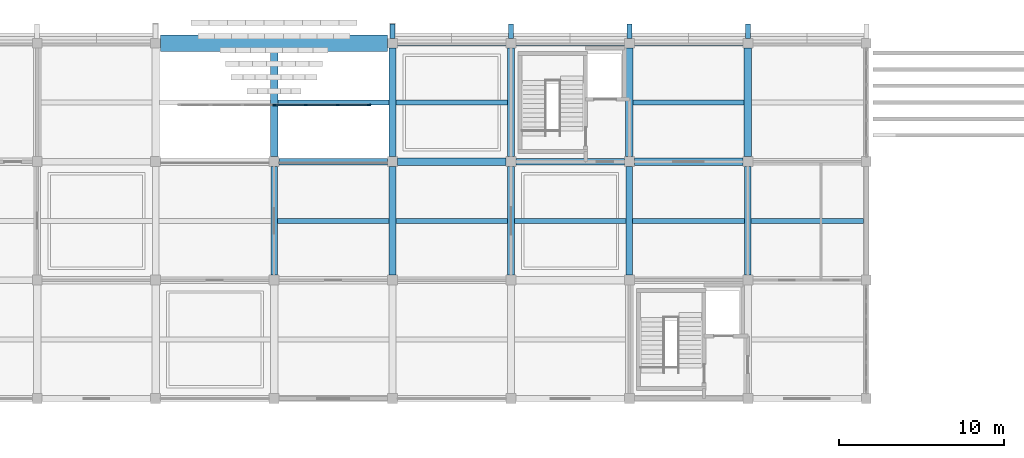
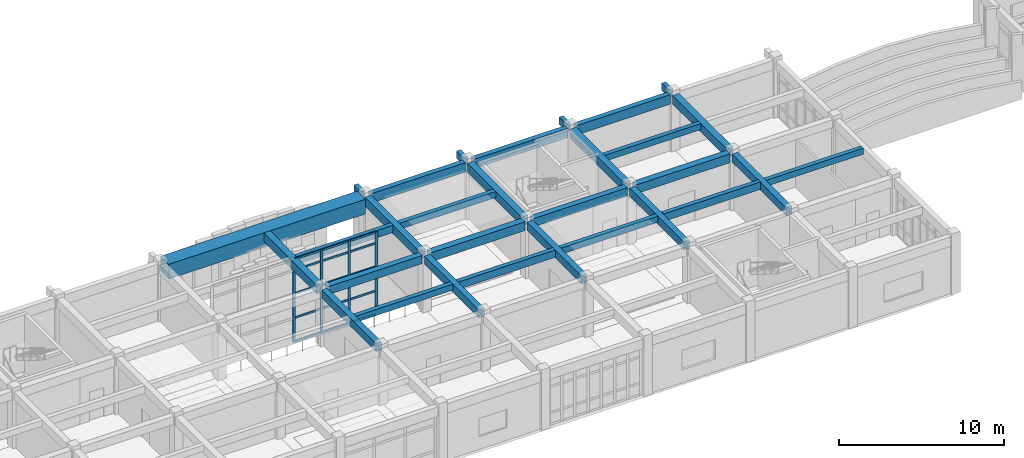
# One storey, part 25 of 81: 30 beams, 19 members, 1 element without a shape of its own.
"""IFC4 building model written with IfcOpenShell, lengths in metres."""

from ifc_helpers import new_model, si_unit, direction, frame, origin, origin_2d, place, context, subcontext, project, spatial, rectangle, extrude, material, layer, layer_set, material_profile, profile_set, type_object, element, aggregate, save


model = new_model("IFC4")

# Units and contexts
model_context = context("Model", 3, precision=1e-05, world=origin(), true_north=direction((0.0, 1.0)))
body_context = subcontext(model_context, "Body", "Model", "MODEL_VIEW")
ifc_project = project(units=[si_unit("LENGTHUNIT", "METRE"), si_unit("AREAUNIT", "SQUARE_METRE"), si_unit("VOLUMEUNIT", "CUBIC_METRE"), si_unit("PLANEANGLEUNIT", "RADIAN"), si_unit("MASSUNIT", "GRAM", prefix="KILO")], contexts=[model_context])

# Site, building, storey
site_placement = place(None, origin())
site = spatial("IfcSite", under=ifc_project, at=site_placement, CompositionType="ELEMENT")
building_placement = place(site_placement, origin())
building = spatial("IfcBuilding", under=site, at=building_placement, Name="Kavelor Marine Aquarium", CompositionType="ELEMENT")
storey_placement = place(building_placement, frame((0.0, 0.0, 4.679931640625)))
storey = spatial("IfcBuildingStorey", under=building, at=storey_placement, Name="L01", CompositionType="ELEMENT", Elevation=4.679931640625)

# Beams
ifc_material_1 = material(Name="Concrete C40/50", Category="concrete")
ifc_material_profile_1 = material_profile(ifc_material_1, rectangle(XDim=0.449951171875, YDim=0.64990234375, at=origin_2d()), Name="RC-BM 450x650")
ifc_profile_set_1 = profile_set([ifc_material_profile_1], Name="Concrete C40/50")
beam_type_1 = type_object("IfcBeamType", Name="BM-B3", PredefinedType="BEAM", material=ifc_profile_set_1)
for number, where, z_axis, x_axis, name in (
    (1, (75.5, 103.60009765625, 3.875), (1.0, 0.0, 0.0), (0.0, 1.0, 0.0), "bm:x:L01:L02:10_14"),
    (2, (89.89990234375, 103.60009765625, 3.875), (1.0, 0.0, 0.0), (0.0, 1.0, 0.0), "bm:x:L01:L02:12_14"),
):
    element("IfcBeam", number, at=place(storey_placement, frame(where, z_axis=z_axis, x_axis=x_axis)), inside=storey, type_object=beam_type_1, Name=name, PredefinedType="BEAM", context=body_context, shape_type="SweptSolid", body=[
        extrude(rectangle(XDim=0.449951171875, YDim=0.64990234375, at=origin_2d()), origin(), (0.0, 0.0, 1.0), 6.60009765625),
    ])
beam_1_placement = place(storey_placement, frame((68.0, 103.89990234375, 3.875), z_axis=(0.0, 1.0, 0.0), x_axis=(-1.0, 0.0, 0.0)))
element("IfcBeam", 3, at=beam_1_placement, inside=storey, type_object=beam_type_1, Name="bm:y:L01:L02:09_14", PredefinedType="BEAM", context=body_context, shape_type="SweptSolid", body=[
    extrude(rectangle(XDim=0.449951171875, YDim=0.64990234375, at=origin_2d()), origin(), (0.0, 0.0, 1.0), 6.400146484375),
])
for number, where, z_axis, x_axis, name in (
    (4, (75.199951171875, 103.89990234375, 3.875), (0.0, 1.0, 0.0), (-1.0, 0.0, 0.0), "bm:y:L01:L02:10_14"),
    (5, (82.39990234375, 103.89990234375, 3.875), (0.0, 1.0, 0.0), (-1.0, 0.0, 0.0), "bm:y:L01:L02:11_14"),
    (6, (89.60009765625, 103.89990234375, 3.875), (0.0, 1.0, 0.0), (-1.0, 0.0, 0.0), "bm:y:L01:L02:12_14"),
    (7, (96.800048828125, 103.89990234375, 3.875), (0.0, 1.0, 0.0), (-1.0, 0.0, 0.0), "bm:y:L01:L02:13_14"),
):
    element("IfcBeam", number, at=place(storey_placement, frame(where, z_axis=z_axis, x_axis=x_axis)), inside=storey, type_object=beam_type_1, Name=name, PredefinedType="BEAM", context=body_context, shape_type="SweptSolid", body=[
        extrude(rectangle(XDim=0.449951171875, YDim=0.64990234375, at=origin_2d()), origin(), (0.0, 0.0, 1.0), 6.60009765625),
    ])
ifc_material_2 = material(Name="Concrete C40/50", Category="concrete")
ifc_material_profile_2 = material_profile(ifc_material_2, rectangle(XDim=0.39990234375, YDim=0.60009765625, at=origin_2d()), Name="RC-BM 400x600")
ifc_profile_set_2 = profile_set([ifc_material_profile_2], Name="Concrete C40/50")
beam_type_2 = type_object("IfcBeamType", Name="BM-B4", PredefinedType="BEAM", material=ifc_profile_set_2)
beam_2_placement = place(storey_placement, frame((68.300048828125, 103.60009765625, 3.900146484375), z_axis=(1.0, 0.0, 0.0), x_axis=(0.0, 1.0, 0.0)))
element("IfcBeam", 8, at=beam_2_placement, inside=storey, type_object=beam_type_2, Name="bm:x:L01:L02:09_14", PredefinedType="BEAM", context=body_context, shape_type="SweptSolid", body=[
    extrude(rectangle(XDim=0.39990234375, YDim=0.60009765625, at=origin_2d()), origin(), (0.0, 0.0, 1.0), 6.599853515625),
])
for number, where, z_axis, x_axis, name in (
    (9, (82.699951171875, 103.60009765625, 3.900146484375), (1.0, 0.0, 0.0), (0.0, 1.0, 0.0), "bm:x:L01:L02:11_14"),
    (10, (68.0, 96.699951171875, 3.900146484375), (0.0, 1.0, 0.0), (-1.0, 0.0, 0.0), "bm:y:L01:L02:09_13"),
    (11, (75.199951171875, 96.699951171875, 3.900146484375), (0.0, 1.0, 0.0), (-1.0, 0.0, 0.0), "bm:y:L01:L02:10_13"),
    (12, (82.39990234375, 96.699951171875, 3.900146484375), (0.0, 1.0, 0.0), (-1.0, 0.0, 0.0), "bm:y:L01:L02:11_13"),
    (13, (89.60009765625, 96.699951171875, 3.900146484375), (0.0, 1.0, 0.0), (-1.0, 0.0, 0.0), "bm:y:L01:L02:12_13"),
    (14, (96.800048828125, 96.699951171875, 3.900146484375), (0.0, 1.0, 0.0), (-1.0, 0.0, 0.0), "bm:y:L01:L02:13_13"),
):
    element("IfcBeam", number, at=place(storey_placement, frame(where, z_axis=z_axis, x_axis=x_axis)), inside=storey, type_object=beam_type_2, Name=name, PredefinedType="BEAM", context=body_context, shape_type="SweptSolid", body=[
        extrude(rectangle(XDim=0.39990234375, YDim=0.60009765625, at=origin_2d()), origin(), (0.0, 0.0, 1.0), 6.60009765625),
    ])
ifc_material_3 = material(Name="Concrete C40/50", Category="concrete")
ifc_material_profile_3 = material_profile(ifc_material_3, rectangle(XDim=0.300048828125, YDim=0.449951171875, at=origin_2d()), Name="RC-JS 300x450")
ifc_profile_set_3 = profile_set([ifc_material_profile_3], Name="Concrete C40/50")
beam_type_3 = type_object("IfcBeamType", Name="BM-JS1", PredefinedType="JOIST", material=ifc_profile_set_3)
beam_3_placement = place(storey_placement, frame((68.199951171875, 100.0, 3.97509765625), z_axis=(1.0, 0.0, 0.0), x_axis=(0.0, 1.0, 0.0)))
element("IfcBeam", 15, at=beam_3_placement, inside=storey, type_object=beam_type_3, Name="js:L01:L02:09_13", PredefinedType="JOIST", context=body_context, shape_type="SweptSolid", body=[
    extrude(rectangle(XDim=0.300048828125, YDim=0.449951171875, at=origin_2d()), origin(), (0.0, 0.0, 1.0), 6.800048828125),
])
beam_4_placement = place(storey_placement, frame((75.425048828125, 107.199951171875, 3.97509765625), z_axis=(1.0, 0.0, 0.0), x_axis=(0.0, 1.0, 0.0)))
element("IfcBeam", 16, at=beam_4_placement, inside=storey, type_object=beam_type_3, Name="js:L01:L02:10_14", PredefinedType="JOIST", context=body_context, shape_type="SweptSolid", body=[
    extrude(rectangle(XDim=0.300048828125, YDim=0.449951171875, at=origin_2d()), origin(), (0.0, 0.0, 1.0), 6.75),
])
beam_5_placement = place(storey_placement, frame((82.60009765625, 100.0, 3.97509765625), z_axis=(1.0, 0.0, 0.0), x_axis=(0.0, 1.0, 0.0)))
element("IfcBeam", 17, at=beam_5_placement, inside=storey, type_object=beam_type_3, Name="js:L01:L02:11_13", PredefinedType="JOIST", context=body_context, shape_type="SweptSolid", body=[
    extrude(rectangle(XDim=0.300048828125, YDim=0.449951171875, at=origin_2d()), origin(), (0.0, 0.0, 1.0), 6.7998046875),
])
beam_6_placement = place(storey_placement, frame((89.824951171875, 107.199951171875, 3.97509765625), z_axis=(1.0, 0.0, 0.0), x_axis=(0.0, 1.0, 0.0)))
element("IfcBeam", 18, at=beam_6_placement, inside=storey, type_object=beam_type_3, Name="js:L01:L02:12_14", PredefinedType="JOIST", context=body_context, shape_type="SweptSolid", body=[
    extrude(rectangle(XDim=0.300048828125, YDim=0.449951171875, at=origin_2d()), origin(), (0.0, 0.0, 1.0), 6.75),
])
beam_7_placement = place(storey_placement, frame((97.0, 100.0, 3.97509765625), z_axis=(1.0, 0.0, 0.0), x_axis=(0.0, 1.0, 0.0)))
element("IfcBeam", 19, at=beam_7_placement, inside=storey, type_object=beam_type_3, Name="js:L01:L02:13_13", PredefinedType="JOIST", context=body_context, shape_type="SweptSolid", body=[
    extrude(rectangle(XDim=0.300048828125, YDim=0.449951171875, at=origin_2d()), origin(), (0.0, 0.0, 1.0), 6.824951171875),
])
ifc_material_4 = material(Name="Concrete C40/50", Category="concrete")
ifc_material_profile_4 = material_profile(ifc_material_4, rectangle(XDim=0.300048828125, YDim=0.550048828125, at=origin_2d()), Name="RC-JS 300x550")
ifc_profile_set_4 = profile_set([ifc_material_profile_4], Name="Concrete C40/50")
beam_type_4 = type_object("IfcBeamType", Name="BM-JS2", PredefinedType="JOIST", material=ifc_profile_set_4)
beam_8_placement = place(storey_placement, frame((68.22509765625, 107.199951171875, 3.945068359375), z_axis=(1.0, 0.0, 0.0), x_axis=(0.0, 1.0, 0.0)))
element("IfcBeam", 20, at=beam_8_placement, inside=storey, type_object=beam_type_4, Name="js:L01:L02:09_14", PredefinedType="JOIST", context=body_context, shape_type="SweptSolid", body=[
    extrude(rectangle(XDim=0.300048828125, YDim=0.550048828125, at=origin_2d()), origin(), (0.0, 0.0, 1.0), 6.75),
])
for number, where, z_axis, x_axis, name in (
    (21, (75.39990234375, 100.0, 3.945068359375), (1.0, 0.0, 0.0), (0.0, 1.0, 0.0), "js:L01:L02:10_13"),
    (22, (89.800048828125, 100.0, 3.945068359375), (1.0, 0.0, 0.0), (0.0, 1.0, 0.0), "js:L01:L02:12_13"),
):
    element("IfcBeam", number, at=place(storey_placement, frame(where, z_axis=z_axis, x_axis=x_axis)), inside=storey, type_object=beam_type_4, Name=name, PredefinedType="JOIST", context=body_context, shape_type="SweptSolid", body=[
        extrude(rectangle(XDim=0.300048828125, YDim=0.550048828125, at=origin_2d()), origin(), (0.0, 0.0, 1.0), 6.800048828125),
    ])
ifc_material_5 = material(Name="Concrete C40/50", Category="concrete")
ifc_material_profile_5 = material_profile(ifc_material_5, rectangle(XDim=0.35009765625, YDim=0.699951171875, at=origin_2d()), Name="RC-SP 350x700")
ifc_profile_set_5 = profile_set([ifc_material_profile_5], Name="Concrete C40/50")
beam_type_5 = type_object("IfcBeamType", Name="BM-SP1", PredefinedType="SPANDREL", material=ifc_profile_set_5)
for number, where, z_axis, x_axis, name in (
    (23, (75.5, 110.800048828125, 3.85009765625), (1.0, 0.0, 0.0), (0.0, 1.0, 0.0), "bm:x:L01:L02:10_15"),
    (24, (82.699951171875, 110.800048828125, 3.8701171875), (1.0, 0.0, 0.0), (0.0, 1.0, 0.0), "bm:x:L01:L02:11_15"),
    (25, (89.89990234375, 110.800048828125, 3.85009765625), (1.0, 0.0, 0.0), (0.0, 1.0, 0.0), "bm:x:L01:L02:12_15"),
):
    element("IfcBeam", number, at=place(storey_placement, frame(where, z_axis=z_axis, x_axis=x_axis)), inside=storey, type_object=beam_type_5, Name=name, PredefinedType="SPANDREL", context=body_context, shape_type="SweptSolid", body=[
        extrude(rectangle(XDim=0.35009765625, YDim=0.699951171875, at=origin_2d()), origin(), (0.0, 0.0, 1.0), 6.60009765625),
    ])
ifc_material_6 = material(Name="Concrete C40/50", Category="concrete")
ifc_material_profile_6 = material_profile(ifc_material_6, rectangle(XDim=0.300048828125, YDim=0.550048828125, at=origin_2d()), Name="RC-SP 300x550")
ifc_profile_set_6 = profile_set([ifc_material_profile_6], Name="Concrete C40/50")
beam_type_6 = type_object("IfcBeamType", Name="BM-SP2", PredefinedType="SPANDREL", material=ifc_profile_set_6)
for number, where, z_axis, x_axis, name in (
    (26, (75.199951171875, 111.10009765625, 3.925048828125), (0.0, 1.0, 0.0), (-1.0, 0.0, 0.0), "bm:out:n:L01:L02:10"),
    (27, (82.39990234375, 111.10009765625, 3.925048828125), (0.0, 1.0, 0.0), (-1.0, 0.0, 0.0), "bm:out:n:L01:L02:11"),
    (28, (89.60009765625, 111.10009765625, 3.925048828125), (0.0, 1.0, 0.0), (-1.0, 0.0, 0.0), "bm:out:n:L01:L02:12"),
    (29, (96.800048828125, 111.10009765625, 3.925048828125), (0.0, 1.0, 0.0), (-1.0, 0.0, 0.0), "bm:out:n:L01:L02:13"),
):
    element("IfcBeam", number, at=place(storey_placement, frame(where, z_axis=z_axis, x_axis=x_axis)), inside=storey, type_object=beam_type_6, Name=name, PredefinedType="SPANDREL", context=body_context, shape_type="SweptSolid", body=[
        extrude(rectangle(XDim=0.300048828125, YDim=0.550048828125, at=origin_2d()), origin(), (0.0, 0.0, 1.0), 0.85986328125),
    ])
ifc_material_7 = material(Name="Concrete C45/55", Category="concrete")
ifc_material_profile_7 = material_profile(ifc_material_7, rectangle(XDim=1.0, YDim=1.10009765625, at=origin_2d()), Name="RC-TG 1000x1100")
ifc_profile_set_7 = profile_set([ifc_material_profile_7], Name="Concrete C45/55")
beam_type_7 = type_object("IfcBeamType", Name="BM-TG1", PredefinedType="BEAM", material=ifc_profile_set_7)
beam_9_placement = place(storey_placement, frame((61.10009765625, 110.800048828125, 3.650146484375), z_axis=(1.0, 0.0, 0.0), x_axis=(0.0, 1.0, 0.0)))
element("IfcBeam", 30, at=beam_9_placement, inside=storey, type_object=beam_type_7, Name="bm:x:L01:L02:08_15_span", PredefinedType="BEAM", context=body_context, shape_type="SweptSolid", body=[
    extrude(rectangle(XDim=1.0, YDim=1.10009765625, at=origin_2d()), origin(), (0.0, 0.0, 1.0), 13.7998046875),
])

# Curtain wall, members
ifc_material_8 = material(Name="Thermally Broken Aluminium and Low-E Glass", Category="aluminium")
ifc_layer = layer(ifc_material_8, 0.283935546875)
ifc_layer_set = layer_set([ifc_layer], Name="CW-SYS18")
curtain_wall_type = type_object("IfcCurtainWallType", Name="CW-SYS18", PredefinedType="USERDEFINED", material=ifc_layer_set)
curtain_wall_placement = place(storey_placement, origin())
curtain_wall = element("IfcCurtainWall", 31, at=curtain_wall_placement, inside=storey, type_object=curtain_wall_type, Name="cw:portal:north:screen", ObjectType="Curtain Wall", PredefinedType="USERDEFINED")
ifc_material_9 = material(Name="Anodised Aluminium Alloy 6063-T6", Category="aluminium")
ifc_material_profile_8 = material_profile(ifc_material_9, rectangle(XDim=0.0849609375, YDim=0.18994140625, at=origin_2d()), Name="CW-MUL 85x190")
ifc_profile_set_8 = profile_set([ifc_material_profile_8], Name="Anodised Aluminium Alloy 6063-T6")
member_type_1 = type_object("IfcMemberType", Name="CWM-3", PredefinedType="MULLION", material=ifc_profile_set_8)
member_1_placement = place(storey_placement, frame((68.0, 107.0400390625, -2.0), z_axis=(0.0, 0.0, 1.0), x_axis=(0.0, 1.0, 0.0)))
member_1 = element("IfcMember", 32, at=member_1_placement, type_object=member_type_1, Name="CW18 mullion 4", PredefinedType="MULLION", context=body_context, shape_type="SweptSolid", body=[
    extrude(rectangle(XDim=0.0849609375, YDim=0.18994140625, at=origin_2d()), origin(), (0.0, 0.0, 1.0), 6.190185546875),
])
member_2_placement = place(storey_placement, frame((69.933349609375, 107.0400390625, -2.0), z_axis=(0.0, 0.0, 1.0), x_axis=(0.0, 1.0, 0.0)))
member_2 = element("IfcMember", 33, at=member_2_placement, type_object=member_type_1, Name="CW18 mullion 5", PredefinedType="MULLION", context=body_context, shape_type="SweptSolid", body=[
    extrude(rectangle(XDim=0.0849609375, YDim=0.18994140625, at=origin_2d()), origin(), (0.0, 0.0, 1.0), 6.190185546875),
])
member_3_placement = place(storey_placement, frame((71.86669921875, 107.0400390625, -2.0), z_axis=(0.0, 0.0, 1.0), x_axis=(0.0, 1.0, 0.0)))
member_3 = element("IfcMember", 34, at=member_3_placement, type_object=member_type_1, Name="CW18 mullion 6", PredefinedType="MULLION", context=body_context, shape_type="SweptSolid", body=[
    extrude(rectangle(XDim=0.0849609375, YDim=0.18994140625, at=origin_2d()), origin(), (0.0, 0.0, 1.0), 6.190185546875),
])
member_4_placement = place(storey_placement, frame((73.77001953125, 107.0400390625, -2.0), z_axis=(0.0, 0.0, 1.0), x_axis=(0.0, 1.0, 0.0)))
member_4 = element("IfcMember", 35, at=member_4_placement, type_object=member_type_1, Name="CW18 mullion 7", PredefinedType="MULLION", context=body_context, shape_type="SweptSolid", body=[
    extrude(rectangle(XDim=0.0849609375, YDim=0.18994140625, at=origin_2d()), origin(), (0.0, 0.0, 1.0), 6.190185546875),
])
ifc_material_10 = material(Name="Anodised Aluminium Alloy 6063-T6", Category="aluminium")
ifc_material_profile_9 = material_profile(ifc_material_10, rectangle(XDim=0.074951171875, YDim=0.14990234375, at=origin_2d()), Name="CW-TRN 75x150")
ifc_profile_set_9 = profile_set([ifc_material_profile_9], Name="Anodised Aluminium Alloy 6063-T6")
member_type_2 = type_object("IfcMemberType", Name="CWT-1", PredefinedType="USERDEFINED", material=ifc_profile_set_9)
member_5_placement = place(storey_placement, frame((68.030029296875, 107.0400390625, -1.96240234375), z_axis=(1.0, 0.0, 0.0), x_axis=(0.0, 1.0, 0.0)))
member_5 = element("IfcMember", 36, at=member_5_placement, type_object=member_type_2, Name="CW18 transom 4.1", ObjectType="TRANSOM", PredefinedType="USERDEFINED", context=body_context, shape_type="SweptSolid", body=[
    extrude(rectangle(XDim=0.074951171875, YDim=0.14990234375, at=origin_2d()), origin(), (0.0, 0.0, 1.0), 1.873291015625),
])
member_6_placement = place(storey_placement, frame((68.030029296875, 107.0400390625, -0.199951171875), z_axis=(1.0, 0.0, 0.0), x_axis=(0.0, 1.0, 0.0)))
member_6 = element("IfcMember", 37, at=member_6_placement, type_object=member_type_2, Name="CW18 transom 4.2", ObjectType="TRANSOM", PredefinedType="USERDEFINED", context=body_context, shape_type="SweptSolid", body=[
    extrude(rectangle(XDim=0.074951171875, YDim=0.14990234375, at=origin_2d()), origin(), (0.0, 0.0, 1.0), 1.873291015625),
])
member_7_placement = place(storey_placement, frame((68.030029296875, 107.0400390625, 1.60009765625), z_axis=(1.0, 0.0, 0.0), x_axis=(0.0, 1.0, 0.0)))
member_7 = element("IfcMember", 38, at=member_7_placement, type_object=member_type_2, Name="CW18 transom 4.3", ObjectType="TRANSOM", PredefinedType="USERDEFINED", context=body_context, shape_type="SweptSolid", body=[
    extrude(rectangle(XDim=0.074951171875, YDim=0.14990234375, at=origin_2d()), origin(), (0.0, 0.0, 1.0), 1.873291015625),
])
member_8_placement = place(storey_placement, frame((68.030029296875, 107.0400390625, 3.340087890625), z_axis=(1.0, 0.0, 0.0), x_axis=(0.0, 1.0, 0.0)))
member_8 = element("IfcMember", 39, at=member_8_placement, type_object=member_type_2, Name="CW18 transom 4.4", ObjectType="TRANSOM", PredefinedType="USERDEFINED", context=body_context, shape_type="SweptSolid", body=[
    extrude(rectangle(XDim=0.074951171875, YDim=0.14990234375, at=origin_2d()), origin(), (0.0, 0.0, 1.0), 1.873291015625),
])
member_9_placement = place(storey_placement, frame((68.030029296875, 107.0400390625, 4.152587890625), z_axis=(1.0, 0.0, 0.0), x_axis=(0.0, 1.0, 0.0)))
member_9 = element("IfcMember", 40, at=member_9_placement, type_object=member_type_2, Name="CW18 transom 4.5", ObjectType="TRANSOM", PredefinedType="USERDEFINED", context=body_context, shape_type="SweptSolid", body=[
    extrude(rectangle(XDim=0.074951171875, YDim=0.14990234375, at=origin_2d()), origin(), (0.0, 0.0, 1.0), 1.873291015625),
])
member_10_placement = place(storey_placement, frame((69.96337890625, 107.0400390625, -1.96240234375), z_axis=(1.0, 0.0, 0.0), x_axis=(0.0, 1.0, 0.0)))
member_10 = element("IfcMember", 41, at=member_10_placement, type_object=member_type_2, Name="CW18 transom 5.1", ObjectType="TRANSOM", PredefinedType="USERDEFINED", context=body_context, shape_type="SweptSolid", body=[
    extrude(rectangle(XDim=0.074951171875, YDim=0.14990234375, at=origin_2d()), origin(), (0.0, 0.0, 1.0), 1.873291015625),
])
member_11_placement = place(storey_placement, frame((69.96337890625, 107.0400390625, -0.199951171875), z_axis=(1.0, 0.0, 0.0), x_axis=(0.0, 1.0, 0.0)))
member_11 = element("IfcMember", 42, at=member_11_placement, type_object=member_type_2, Name="CW18 transom 5.2", ObjectType="TRANSOM", PredefinedType="USERDEFINED", context=body_context, shape_type="SweptSolid", body=[
    extrude(rectangle(XDim=0.074951171875, YDim=0.14990234375, at=origin_2d()), origin(), (0.0, 0.0, 1.0), 1.873291015625),
])
member_12_placement = place(storey_placement, frame((69.96337890625, 107.0400390625, 1.60009765625), z_axis=(1.0, 0.0, 0.0), x_axis=(0.0, 1.0, 0.0)))
member_12 = element("IfcMember", 43, at=member_12_placement, type_object=member_type_2, Name="CW18 transom 5.3", ObjectType="TRANSOM", PredefinedType="USERDEFINED", context=body_context, shape_type="SweptSolid", body=[
    extrude(rectangle(XDim=0.074951171875, YDim=0.14990234375, at=origin_2d()), origin(), (0.0, 0.0, 1.0), 1.873291015625),
])
member_13_placement = place(storey_placement, frame((69.96337890625, 107.0400390625, 3.340087890625), z_axis=(1.0, 0.0, 0.0), x_axis=(0.0, 1.0, 0.0)))
member_13 = element("IfcMember", 44, at=member_13_placement, type_object=member_type_2, Name="CW18 transom 5.4", ObjectType="TRANSOM", PredefinedType="USERDEFINED", context=body_context, shape_type="SweptSolid", body=[
    extrude(rectangle(XDim=0.074951171875, YDim=0.14990234375, at=origin_2d()), origin(), (0.0, 0.0, 1.0), 1.873291015625),
])
member_14_placement = place(storey_placement, frame((69.96337890625, 107.0400390625, 4.152587890625), z_axis=(1.0, 0.0, 0.0), x_axis=(0.0, 1.0, 0.0)))
member_14 = element("IfcMember", 45, at=member_14_placement, type_object=member_type_2, Name="CW18 transom 5.5", ObjectType="TRANSOM", PredefinedType="USERDEFINED", context=body_context, shape_type="SweptSolid", body=[
    extrude(rectangle(XDim=0.074951171875, YDim=0.14990234375, at=origin_2d()), origin(), (0.0, 0.0, 1.0), 1.873291015625),
])
member_15_placement = place(storey_placement, frame((71.896728515625, 107.0400390625, -1.96240234375), z_axis=(1.0, 0.0, 0.0), x_axis=(0.0, 1.0, 0.0)))
member_15 = element("IfcMember", 46, at=member_15_placement, type_object=member_type_2, Name="CW18 transom 6.1", ObjectType="TRANSOM", PredefinedType="USERDEFINED", context=body_context, shape_type="SweptSolid", body=[
    extrude(rectangle(XDim=0.074951171875, YDim=0.14990234375, at=origin_2d()), origin(), (0.0, 0.0, 1.0), 1.84326171875),
])
member_16_placement = place(storey_placement, frame((71.896728515625, 107.0400390625, -0.199951171875), z_axis=(1.0, 0.0, 0.0), x_axis=(0.0, 1.0, 0.0)))
member_16 = element("IfcMember", 47, at=member_16_placement, type_object=member_type_2, Name="CW18 transom 6.2", ObjectType="TRANSOM", PredefinedType="USERDEFINED", context=body_context, shape_type="SweptSolid", body=[
    extrude(rectangle(XDim=0.074951171875, YDim=0.14990234375, at=origin_2d()), origin(), (0.0, 0.0, 1.0), 1.84326171875),
])
member_17_placement = place(storey_placement, frame((71.896728515625, 107.0400390625, 1.60009765625), z_axis=(1.0, 0.0, 0.0), x_axis=(0.0, 1.0, 0.0)))
member_17 = element("IfcMember", 48, at=member_17_placement, type_object=member_type_2, Name="CW18 transom 6.3", ObjectType="TRANSOM", PredefinedType="USERDEFINED", context=body_context, shape_type="SweptSolid", body=[
    extrude(rectangle(XDim=0.074951171875, YDim=0.14990234375, at=origin_2d()), origin(), (0.0, 0.0, 1.0), 1.84326171875),
])
member_18_placement = place(storey_placement, frame((71.896728515625, 107.0400390625, 3.340087890625), z_axis=(1.0, 0.0, 0.0), x_axis=(0.0, 1.0, 0.0)))
member_18 = element("IfcMember", 49, at=member_18_placement, type_object=member_type_2, Name="CW18 transom 6.4", ObjectType="TRANSOM", PredefinedType="USERDEFINED", context=body_context, shape_type="SweptSolid", body=[
    extrude(rectangle(XDim=0.074951171875, YDim=0.14990234375, at=origin_2d()), origin(), (0.0, 0.0, 1.0), 1.84326171875),
])
member_19_placement = place(storey_placement, frame((71.896728515625, 107.0400390625, 4.152587890625), z_axis=(1.0, 0.0, 0.0), x_axis=(0.0, 1.0, 0.0)))
member_19 = element("IfcMember", 50, at=member_19_placement, type_object=member_type_2, Name="CW18 transom 6.5", ObjectType="TRANSOM", PredefinedType="USERDEFINED", context=body_context, shape_type="SweptSolid", body=[
    extrude(rectangle(XDim=0.074951171875, YDim=0.14990234375, at=origin_2d()), origin(), (0.0, 0.0, 1.0), 1.84326171875),
])
aggregate(curtain_wall, [member_1, member_2, member_3, member_4, member_5, member_6, member_7, member_8, member_9, member_10, member_11, member_12, member_13, member_14, member_15, member_16, member_17, member_18, member_19])

save(model, "model.ifc")
